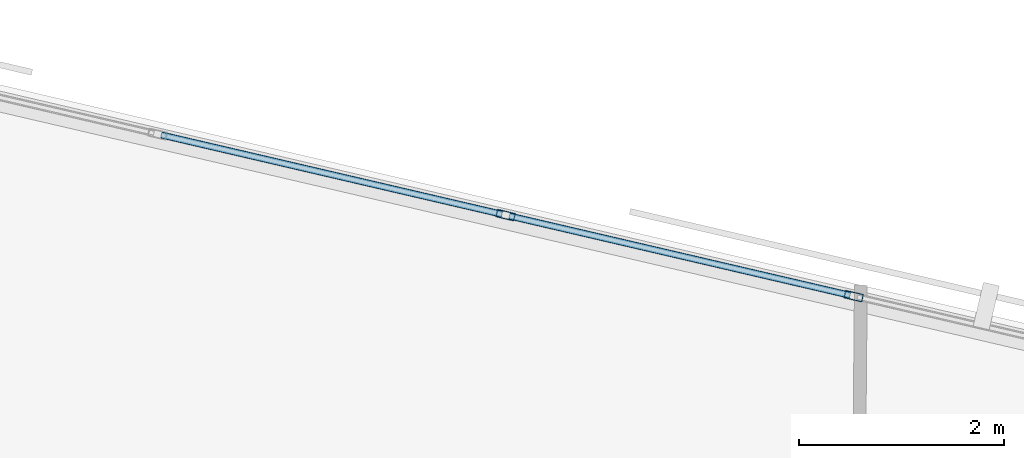
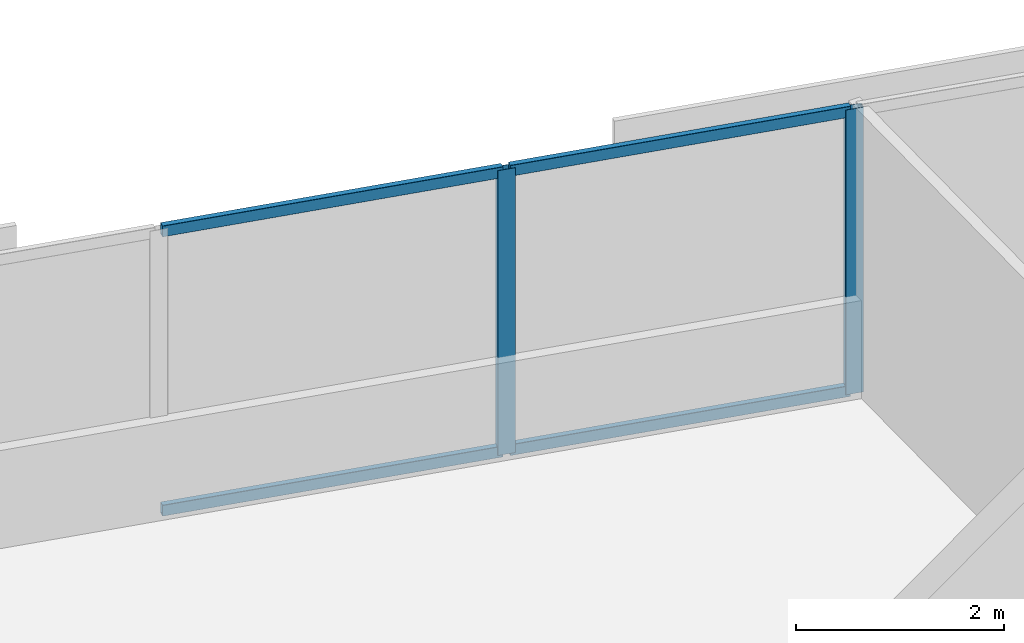
# One storey, part 7 of 14: 6 members, 1 element without a shape of its own.
"""IFC4 building model written with IfcOpenShell, lengths in metres."""

import ifcopenshell
import ifcopenshell.guid

model = None  # the IFC model being written
_history = None  # IfcOwnerHistory: only IFC2X3 demands one
_inside = {}  # id of a spatial element -> (the spatial element, [elements in it])
_under = {}  # id of a project, library or spatial element -> (it, [spatial elements below it])
_declared = {}  # id of a project -> (the project, [libraries it declares])
_typed = {}  # id of a type object -> (the type object, [elements of that type])
_made_of = {}  # id of a material, layer set ... -> (it, [elements and type objects made of it])


def new_model(schema):
    """Start an empty IFC model of exactly this schema.

    Asked for "IFC4X3", IfcOpenShell would pick the latest addendum, in which some entities
    have other attributes; the version numbers below select the first issue.
    IFC2X3 requires an IfcOwnerHistory on every rooted entity: one is made here for all.
    """
    global model, _history
    if schema == "IFC4X3":
        model = ifcopenshell.file(schema_version=(4, 3, 0, 0))
    else:
        model = ifcopenshell.file(schema=schema)
    _inside.clear()
    _under.clear()
    _declared.clear()
    _typed.clear()
    _made_of.clear()
    _history = None
    if model.schema == "IFC2X3":
        org = make("IfcOrganization", Name="unknown")
        user = make(
            "IfcPersonAndOrganization",
            ThePerson=make("IfcPerson", FamilyName="unknown"),
            TheOrganization=org,
        )
        app = make(
            "IfcApplication",
            ApplicationDeveloper=org,
            Version="unknown",
            ApplicationFullName="unknown",
            ApplicationIdentifier="unknown",
        )
        _history = make(
            "IfcOwnerHistory",
            OwningUser=user,
            OwningApplication=app,
            ChangeAction="ADDED",
            CreationDate=0,
        )
    return model


def make(cls, **values):
    """One entity of the class cls with the attributes given. An attribute that is None is left unset."""
    return model.create_entity(
        cls, **{name: value for name, value in values.items() if value is not None}
    )


def rooted(cls, **values):
    """An entity with a GlobalId (a new one), such as an element, a storey or a relation."""
    return make(cls, GlobalId=ifcopenshell.guid.new(), OwnerHistory=_history, **values)


def si_unit(unit_type, name, prefix=None):
    """IfcSIUnit, for example si_unit("LENGTHUNIT", "METRE", prefix="MILLI")."""
    return make("IfcSIUnit", UnitType=unit_type, Prefix=prefix, Name=name)


def assignment(units):
    """IfcUnitAssignment: the units of a project."""
    return None if units is None else make("IfcUnitAssignment", Units=units)


def point(xyz):
    """IfcCartesianPoint."""
    return None if xyz is None else make("IfcCartesianPoint", Coordinates=xyz)


def direction(xyz):
    """IfcDirection."""
    return None if xyz is None else make("IfcDirection", DirectionRatios=xyz)


def frame(location, z_axis=None, x_axis=None):
    """IfcAxis2Placement3D, a coordinate frame: its origin and axes. An axis left out is left unset."""
    return make(
        "IfcAxis2Placement3D",
        Location=point(location),
        Axis=direction(z_axis),
        RefDirection=direction(x_axis),
    )


def frame_2d(location, x_axis=None):
    """IfcAxis2Placement2D, a coordinate frame in the plane: its origin and x axis."""
    return make(
        "IfcAxis2Placement2D", Location=point(location), RefDirection=direction(x_axis)
    )


def origin():
    """The frame at (0, 0, 0) with its axes left unset."""
    return frame((0.0, 0.0, 0.0))


def origin_2d():
    """The frame at (0, 0) in the plane with its x axis left unset."""
    return frame_2d((0.0, 0.0))


def place(relative_to, where):
    """IfcLocalPlacement: puts the frame where relative to a parent placement (None: the world)."""
    return make(
        "IfcLocalPlacement", PlacementRelTo=relative_to, RelativePlacement=where
    )


def context(
    kind, dimensions, precision=None, world=None, true_north=None, identifier=None
):
    """IfcGeometricRepresentationContext, for example the 3D "Model" context."""
    return make(
        "IfcGeometricRepresentationContext",
        ContextIdentifier=identifier,
        ContextType=kind,
        CoordinateSpaceDimension=dimensions,
        Precision=precision,
        WorldCoordinateSystem=world,
        TrueNorth=true_north,
    )


def subcontext(parent, identifier, kind, view, scale=None):
    """IfcGeometricRepresentationSubContext, for example "Body" below "Model"."""
    return make(
        "IfcGeometricRepresentationSubContext",
        ContextIdentifier=identifier,
        ContextType=kind,
        ParentContext=parent,
        TargetScale=scale,
        TargetView=view,
    )


def project(units=None, contexts=None):
    """IfcProject with its units and contexts."""
    return rooted(
        "IfcProject",
        Name="project",
        RepresentationContexts=contexts,
        UnitsInContext=assignment(units),
    )


def spatial(cls, under=None, at=None, **own):
    """A site, building, storey or space (cls), placed at a placement, below another one or the project."""
    s = rooted(cls, ObjectPlacement=at, **own)
    if under is not None:
        _under.setdefault(under.id(), (under, []))[1].append(s)
    return s


def profile(cls, at=None, kind="AREA", **sizes):
    """A parametric profile (cls). Its sizes go by their IFC names, for example OverallWidth=200.0."""
    return make(cls, ProfileType=kind, Position=at, **sizes)


def hollow_rectangle(**sizes):
    """IfcRectangleHollowProfileDef."""
    return profile("IfcRectangleHollowProfileDef", **sizes)


def extrude(swept, where, along, depth):
    """IfcExtrudedAreaSolid: the profile swept, set in the frame where, extruded along a direction by depth."""
    return make(
        "IfcExtrudedAreaSolid",
        SweptArea=swept,
        Position=where,
        ExtrudedDirection=direction(along),
        Depth=depth,
    )


def shape(context_of_items, identifier, shape_type, items):
    """IfcShapeRepresentation: the items that make up one representation, for example the "Body"."""
    return make(
        "IfcShapeRepresentation",
        ContextOfItems=context_of_items,
        RepresentationIdentifier=identifier,
        RepresentationType=shape_type,
        Items=items,
    )


def material(Name=None, Category=None):
    """IfcMaterial."""
    return make("IfcMaterial", Name=Name, Category=Category)


def material_profile(
    of_material, cross_section, Name=None, Category=None, Priority=None
):
    """IfcMaterialProfile: a cross section and its material."""
    return make(
        "IfcMaterialProfile",
        Name=Name,
        Material=of_material,
        Profile=cross_section,
        Priority=Priority,
        Category=Category,
    )


def profile_set(profiles, Name=None, composite=None):
    """IfcMaterialProfileSet."""
    return make(
        "IfcMaterialProfileSet",
        Name=Name,
        MaterialProfiles=profiles,
        CompositeProfile=composite,
    )


def made_of(thing, what):
    """Note that an element or type object is made of a material, layer set ...; save() writes the relation."""
    if what is not None:
        _made_of.setdefault(what.id(), (what, []))[1].append(thing)
    return thing


def type_object(cls, material=None, **own):
    """A type object (cls), such as IfcWallType, which elements share."""
    return made_of(rooted(cls, **own), material)


def element(
    cls,
    number,
    at=None,
    inside=None,
    cuts=None,
    type_object=None,
    material=None,
    context=None,
    identifier="Body",
    shape_type=None,
    held_by="IfcProductDefinitionShape",
    body=None,
    shapes=None,
    **own,
):
    """One element of the class cls, such as IfcWall. Its Tag is "e" and its number.

    at: its placement. inside: the storey or other place that contains it. cuts: it is an
    opening in that element (IfcRelVoidsElement). A single representation is given by context,
    identifier, shape_type and body (its items); several are given by shapes. held_by: the class
    of the entity that holds the representations. save() writes the other relations.
    """
    e = rooted(cls, Tag="e%d" % number, ObjectPlacement=at, **own)
    if body is not None:
        shapes = [shape(context, identifier, shape_type, body)]
    if shapes is not None:
        e.Representation = make(held_by, Representations=shapes)
    if inside is not None:
        _inside.setdefault(inside.id(), (inside, []))[1].append(e)
    if cuts is not None:
        rooted(
            "IfcRelVoidsElement", RelatingBuildingElement=cuts, RelatedOpeningElement=e
        )
    if type_object is not None:
        _typed.setdefault(type_object.id(), (type_object, []))[1].append(e)
    return made_of(e, material)


def aggregate(whole, parts):
    """IfcRelAggregates: a whole, such as a stair, and the parts it consists of."""
    return rooted("IfcRelAggregates", RelatingObject=whole, RelatedObjects=parts)


def save(model, path):
    """Write the relations noted so far, then the file.

    IfcRelAggregates (storeys below a building ...), IfcRelContainedInSpatialStructure (elements
    in a storey), IfcRelDefinesByType, IfcRelAssociatesMaterial and IfcRelDeclares: one each for
    every whole, place, type object, material and project.
    """
    for whole, parts in _under.values():
        aggregate(whole, parts)
    for where, things in _inside.values():
        rooted(
            "IfcRelContainedInSpatialStructure",
            RelatedElements=things,
            RelatingStructure=where,
        )
    for kind, things in _typed.values():
        rooted("IfcRelDefinesByType", RelatedObjects=things, RelatingType=kind)
    for what, things in _made_of.values():
        rooted("IfcRelAssociatesMaterial", RelatedObjects=things, RelatingMaterial=what)
    for by, libraries in _declared.values():
        rooted("IfcRelDeclares", RelatingContext=by, RelatedDefinitions=libraries)
    model.write(path)


model = new_model("IFC4")

# Units and contexts
model_context = context("Model", 3, precision=1e-05, world=origin(), true_north=direction((0.0, 1.0)))
body_context = subcontext(model_context, "Body", "Model", "MODEL_VIEW")
ifc_project = project(units=[si_unit("LENGTHUNIT", "METRE"), si_unit("AREAUNIT", "SQUARE_METRE"), si_unit("VOLUMEUNIT", "CUBIC_METRE"), si_unit("PLANEANGLEUNIT", "RADIAN"), si_unit("MASSUNIT", "GRAM", prefix="KILO")], contexts=[model_context])

# Site, building, storey
site_placement = place(None, origin())
site = spatial("IfcSite", under=ifc_project, at=site_placement, CompositionType="ELEMENT")
building_placement = place(site_placement, origin())
building = spatial("IfcBuilding", under=site, at=building_placement, Name="Narakoshi Arena Tower", CompositionType="ELEMENT")
storey_placement = place(building_placement, frame((0.0, 0.0, 168.300048828125)))
storey = spatial("IfcBuildingStorey", under=building, at=storey_placement, Name="L45", CompositionType="ELEMENT", Elevation=168.300048828125)

# Curtain wall, members
ifc_material = material(Name="Anodised bronze aluminium 6063-T6", Category="aluminium")
curtain_wall_type = type_object("IfcCurtainWallType", Name="CW-HYP-MID", PredefinedType="NOTDEFINED", material=ifc_material)
curtain_wall_placement = place(storey_placement, origin())
curtain_wall = element("IfcCurtainWall", 1, at=curtain_wall_placement, inside=storey, type_object=curtain_wall_type, Name="L45 Folded Hypotenuse Curtain Wall 2-1", PredefinedType="NOTDEFINED")
ifc_material_profile_1 = material_profile(ifc_material, hollow_rectangle(XDim=0.074951171875, YDim=0.179931640625, WallThickness=0.00390625, OuterFilletRadius=0.0048828125, at=origin_2d()), Name="MUL180x75x4")
ifc_profile_set_1 = profile_set([ifc_material_profile_1], Name="Anodised bronze aluminium 6063-T6")
member_type_1 = type_object("IfcMemberType", Name="MEM-MUL-180", PredefinedType="MULLION", material=ifc_profile_set_1)
member_1_placement = place(storey_placement, frame((78.911376953125, 64.4443359375, 0.0), z_axis=(0.0, 0.0, 1.0), x_axis=(-0.226721182724, -0.973959704148, 0.0)))
member_1 = element("IfcMember", 2, at=member_1_placement, type_object=member_type_1, Name="CW-02 mullion 3", PredefinedType="MULLION", context=body_context, shape_type="SweptSolid", body=[
    extrude(hollow_rectangle(XDim=0.074951171875, YDim=0.179931640625, WallThickness=0.00390625, OuterFilletRadius=0.0048828125, at=origin_2d()), origin(), (0.0, 0.0, 1.0), 3.33984375),
])
member_2_placement = place(storey_placement, frame((75.510498046875, 65.236083984375, 0.0), z_axis=(0.0, 0.0, 1.0), x_axis=(-0.226721182724, -0.973959704148, 0.0)))
member_2 = element("IfcMember", 3, at=member_2_placement, type_object=member_type_1, Name="CW-02 mullion 4", PredefinedType="MULLION", context=body_context, shape_type="SweptSolid", body=[
    extrude(hollow_rectangle(XDim=0.074951171875, YDim=0.179931640625, WallThickness=0.00390625, OuterFilletRadius=0.0048828125, at=origin_2d()), origin(), (0.0, 0.0, 1.0), 3.33984375),
])
ifc_material_profile_2 = material_profile(ifc_material, hollow_rectangle(XDim=0.06494140625, YDim=0.1298828125, WallThickness=0.00390625, OuterFilletRadius=0.0048828125, at=origin_2d()), Name="TRN130x65x4")
ifc_profile_set_2 = profile_set([ifc_material_profile_2], Name="Anodised bronze aluminium 6063-T6")
member_type_2 = type_object("IfcMemberType", Name="MEM-TRN-130", PredefinedType="USERDEFINED", material=ifc_profile_set_2)
member_3_placement = place(storey_placement, frame((78.874755859375, 64.452880859375, 0.032470703125), z_axis=(-0.973957040336, 0.226732625751, 0.0), x_axis=(-0.226732625751, -0.973957040336, 0.0)))
member_3 = element("IfcMember", 4, at=member_3_placement, type_object=member_type_2, Name="CW-02 transom 3.1", ObjectType="TRANSOM", PredefinedType="USERDEFINED", context=body_context, shape_type="SweptSolid", body=[
    extrude(hollow_rectangle(XDim=0.06494140625, YDim=0.1298828125, WallThickness=0.00390625, OuterFilletRadius=0.0048828125, at=origin_2d()), origin(), (0.0, 0.0, 1.0), 3.41650390625),
])
member_4_placement = place(storey_placement, frame((78.874755859375, 64.452880859375, 3.307373046875), z_axis=(-0.973957040336, 0.226732625751, 0.0), x_axis=(-0.226732625751, -0.973957040336, 0.0)))
member_4 = element("IfcMember", 5, at=member_4_placement, type_object=member_type_2, Name="CW-02 transom 3.2", ObjectType="TRANSOM", PredefinedType="USERDEFINED", context=body_context, shape_type="SweptSolid", body=[
    extrude(hollow_rectangle(XDim=0.06494140625, YDim=0.1298828125, WallThickness=0.00390625, OuterFilletRadius=0.0048828125, at=origin_2d()), origin(), (0.0, 0.0, 1.0), 3.41650390625),
])
member_5_placement = place(storey_placement, frame((75.473876953125, 65.24462890625, 0.032470703125), z_axis=(-0.973957040336, 0.226732625751, 0.0), x_axis=(-0.226732625751, -0.973957040336, 0.0)))
member_5 = element("IfcMember", 6, at=member_5_placement, type_object=member_type_2, Name="CW-02 transom 4.1", ObjectType="TRANSOM", PredefinedType="USERDEFINED", context=body_context, shape_type="SweptSolid", body=[
    extrude(hollow_rectangle(XDim=0.06494140625, YDim=0.1298828125, WallThickness=0.00390625, OuterFilletRadius=0.0048828125, at=origin_2d()), origin(), (0.0, 0.0, 1.0), 3.41650390625),
])
member_6_placement = place(storey_placement, frame((75.473876953125, 65.24462890625, 3.307373046875), z_axis=(-0.973957040336, 0.226732625751, 0.0), x_axis=(-0.226732625751, -0.973957040336, 0.0)))
member_6 = element("IfcMember", 7, at=member_6_placement, type_object=member_type_2, Name="CW-02 transom 4.2", ObjectType="TRANSOM", PredefinedType="USERDEFINED", context=body_context, shape_type="SweptSolid", body=[
    extrude(hollow_rectangle(XDim=0.06494140625, YDim=0.1298828125, WallThickness=0.00390625, OuterFilletRadius=0.0048828125, at=origin_2d()), origin(), (0.0, 0.0, 1.0), 3.41650390625),
])
aggregate(curtain_wall, [member_1, member_2, member_3, member_4, member_5, member_6])

save(model, "model.ifc")
